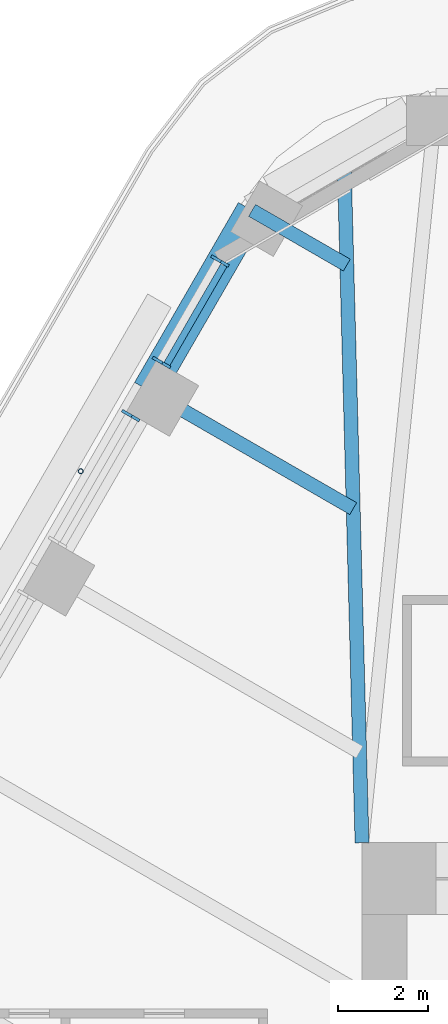
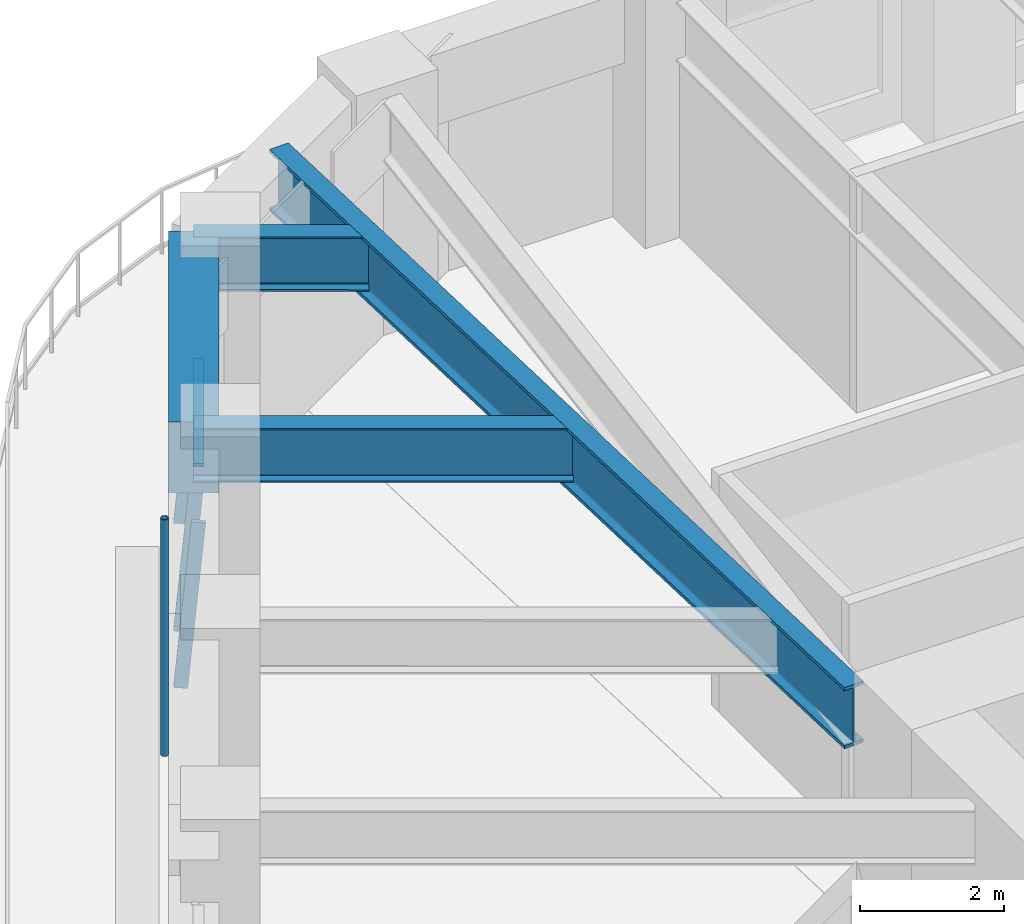
# One storey, part 8 of 20: 5 members, 4 beams, 2 elements without a shape of their own.
"""IFC4 building model written with IfcOpenShell, lengths in metres."""

from ifc_helpers import new_model, si_unit, direction, frame, origin, origin_2d, place, context, subcontext, project, spatial, rectangle, hollow_circle, i_section, extrude, material, material_profile, profile_set, type_object, element, aggregate, save


model = new_model("IFC4")

# Units and contexts
model_context = context("Model", 3, precision=1e-05, world=origin(), true_north=direction((0.0, 1.0)))
body_context = subcontext(model_context, "Body", "Model", "MODEL_VIEW")
ifc_project = project(units=[si_unit("LENGTHUNIT", "METRE"), si_unit("AREAUNIT", "SQUARE_METRE"), si_unit("VOLUMEUNIT", "CUBIC_METRE"), si_unit("PLANEANGLEUNIT", "RADIAN"), si_unit("MASSUNIT", "GRAM", prefix="KILO")], contexts=[model_context])

# Site, building, storey
site_placement = place(None, origin())
site = spatial("IfcSite", under=ifc_project, at=site_placement, CompositionType="ELEMENT")
building_placement = place(site_placement, origin())
building = spatial("IfcBuilding", under=site, at=building_placement, Name="Tarfa Lantern Tower", CompositionType="ELEMENT")
storey_placement = place(building_placement, frame((0.0, 0.0, 236.5)))
storey = spatial("IfcBuildingStorey", under=building, at=storey_placement, Name="L53", CompositionType="ELEMENT", Elevation=236.5)

# Curtain wall, members
ifc_material_1 = material(Name="Aluminium framed curtain wall", Category="aluminium")
curtain_wall_type = type_object("IfcCurtainWallType", Name="CW3 CANTED GLAZING HIGH ZONE 2800", PredefinedType="USERDEFINED", material=ifc_material_1)
curtain_wall_1_placement = place(storey_placement, origin())
curtain_wall_1 = element("IfcCurtainWall", 1, at=curtain_wall_1_placement, inside=storey, type_object=curtain_wall_type, Name="CW3 NW L53", ObjectType="CURTAIN WALL", PredefinedType="USERDEFINED")
ifc_material_2 = material(Name="Aluminium mullion", Category="aluminium")
ifc_material_profile_1 = material_profile(ifc_material_2, rectangle(XDim=0.06494140625, YDim=0.199951171875, at=origin_2d()), Name="AL MULLION 65x200")
ifc_profile_set_1 = profile_set([ifc_material_profile_1], Name="Aluminium mullion")
member_type_1 = type_object("IfcMemberType", Name="CWM1 MULLION 65x200", PredefinedType="MULLION", material=ifc_profile_set_1)
member_1_placement = place(storey_placement, frame((-18.76611328125, 25.296142578125, 0.0), z_axis=(0.077032386753, -0.044465143199, 0.996036576854), x_axis=(0.499919672301, 0.866071776036, 0.0)))
member_1 = element("IfcMember", 2, at=member_1_placement, type_object=member_type_1, Name="CW3 mullion 1", PredefinedType="MULLION", context=body_context, shape_type="SweptSolid", body=[
    extrude(rectangle(XDim=0.06494140625, YDim=0.199951171875, at=origin_2d()), origin(), (0.0, 0.0, 1.0), 2.811279296875),
])
member_2_placement = place(storey_placement, frame((-20.068115234375, 23.041015625, 0.0), z_axis=(0.077032386753, -0.044465143199, 0.996036576854), x_axis=(0.499919672301, 0.866071776036, 0.0)))
member_2 = element("IfcMember", 3, at=member_2_placement, type_object=member_type_1, Name="CW3 mullion 2", PredefinedType="MULLION", context=body_context, shape_type="SweptSolid", body=[
    extrude(rectangle(XDim=0.06494140625, YDim=0.199951171875, at=origin_2d()), origin(), (0.0, 0.0, 1.0), 2.811279296875),
])

# Curtain wall, member
curtain_wall_2_placement = place(storey_placement, origin())
curtain_wall_2 = element("IfcCurtainWall", 4, at=curtain_wall_2_placement, inside=storey, type_object=curtain_wall_type, Name="CW3 NW L53", ObjectType="CURTAIN WALL", PredefinedType="USERDEFINED")
member_3_placement = place(storey_placement, frame((-20.75048828125, 21.85888671875, 0.0), z_axis=(0.076946055247, -0.044465440504, 0.996043236603), x_axis=(0.500342721131, 0.865827443207, 0.0)))
member_3 = element("IfcMember", 5, at=member_3_placement, type_object=member_type_1, Name="CW3 mullion 1", PredefinedType="MULLION", context=body_context, shape_type="SweptSolid", body=[
    extrude(rectangle(XDim=0.06494140625, YDim=0.199951171875, at=origin_2d()), origin(), (0.0, 0.0, 1.0), 2.811279296875),
])
aggregate(curtain_wall_2, [member_3])

# Member
ifc_material_3 = material(Name="Aluminium transom", Category="aluminium")
ifc_material_profile_2 = material_profile(ifc_material_3, rectangle(XDim=0.14990234375, YDim=0.06494140625, at=origin_2d()), Name="AL TRANSOM 150x65")
ifc_profile_set_2 = profile_set([ifc_material_profile_2], Name="Aluminium transom")
member_type_2 = type_object("IfcMemberType", Name="CWT1 TRANSOM 150x65", PredefinedType="USERDEFINED", material=ifc_profile_set_2)
member_4_placement = place(storey_placement, frame((-18.568359375, 25.144287109375, 2.767578125), z_axis=(-0.500027655771, -0.866009436129, 0.0), x_axis=(0.866009436129, -0.500027655771, 0.0)))
member_4 = element("IfcMember", 6, at=member_4_placement, type_object=member_type_2, Name="CW3 transom 1.2", ObjectType="TRANSOM", PredefinedType="USERDEFINED", context=body_context, shape_type="SweptSolid", body=[
    extrude(rectangle(XDim=0.14990234375, YDim=0.06494140625, at=origin_2d()), origin(), (0.0, 0.0, 1.0), 2.538818359375),
])

aggregate(curtain_wall_1, [member_1, member_2, member_4])

# Beam
ifc_material_4 = material(Name="Concrete C80/95", Category="concrete")
ifc_material_profile_3 = material_profile(ifc_material_4, rectangle(XDim=0.699951171875, YDim=1.199951171875, at=origin_2d()), Name="RC 700x1200")
ifc_profile_set_3 = profile_set([ifc_material_profile_3], Name="Concrete C80/95")
beam_type_1 = type_object("IfcBeamType", Name="EB3 RC 700x1200", PredefinedType="SPANDREL", material=ifc_profile_set_3)
beam_1_placement = place(storey_placement, frame((-17.944091796875, 26.360107421875, 3.39990234375), z_axis=(-0.499987836815, -0.866032426089, 0.0), x_axis=(0.866032426089, -0.499987836815, 0.0)))
element("IfcBeam", 7, at=beam_1_placement, inside=storey, type_object=beam_type_1, Name="Edge beam NW0", PredefinedType="SPANDREL", context=body_context, shape_type="SweptSolid", body=[
    extrude(rectangle(XDim=0.699951171875, YDim=1.199951171875, at=origin_2d()), origin(), (0.0, 0.0, 1.0), 4.61865234375),
])

# Member
ifc_material_5 = material(Name="Steel S355", Category="steel")
ifc_material_profile_4 = material_profile(ifc_material_5, hollow_circle(Radius=0.05712890625, WallThickness=0.00634765625, at=origin_2d()), Name="CHS114.3x6.3")
ifc_profile_set_4 = profile_set([ifc_material_profile_4], Name="Steel S355")
member_type_3 = type_object("IfcMemberType", Name="TR1 GREEN WALL TRELLIS CHS114.3x6.3", PredefinedType="USERDEFINED", material=ifc_profile_set_4)
member_5_placement = place(storey_placement, frame((-21.754638671875, 20.56005859375, 0.0), z_axis=(0.0, 0.0, 1.0), x_axis=(1.0, 0.0, 0.0)))
element("IfcMember", 8, at=member_5_placement, inside=storey, type_object=member_type_3, Name="Trellis post NW 1", ObjectType="TRELLIS", PredefinedType="USERDEFINED", context=body_context, shape_type="SweptSolid", body=[
    extrude(hollow_circle(Radius=0.05712890625, WallThickness=0.00634765625, at=origin_2d()), origin(), (0.0, 0.0, 1.0), 4.0),
])

# Beams
ifc_material_6 = material(Name="Steel S460M", Category="steel")
ifc_material_profile_5 = material_profile(ifc_material_6, i_section(OverallWidth=0.30859375, OverallDepth=1.036376953125, WebThickness=0.030029296875, FlangeThickness=0.05419921875, FilletRadius=0.030029296875, at=origin_2d()), Name="UB1016x305x487")
ifc_profile_set_5 = profile_set([ifc_material_profile_5], Name="Steel S460M")
beam_type_2 = type_object("IfcBeamType", Name="UB1016x305x487", PredefinedType="BEAM", material=ifc_profile_set_5)
beam_2_placement = place(storey_placement, frame((-15.5, 12.300048828125, 3.48193359375), z_axis=(-0.026247301989, 0.999655480222, 0.0), x_axis=(-0.999655480222, -0.026247301989, 0.0)))
element("IfcBeam", 9, at=beam_2_placement, inside=storey, type_object=beam_type_2, Name="Hip girder NW", PredefinedType="BEAM", context=body_context, shape_type="SweptSolid", body=[
    extrude(i_section(OverallWidth=0.30859375, OverallDepth=1.036376953125, WebThickness=0.030029296875, FlangeThickness=0.05419921875, FilletRadius=0.030029296875, at=origin_2d()), origin(), (0.0, 0.0, 1.0), 15.245361328125),
])
ifc_material_profile_6 = material_profile(ifc_material_6, i_section(OverallWidth=0.305419921875, OverallDepth=0.91845703125, WebThickness=0.017333984375, FlangeThickness=0.02783203125, FilletRadius=0.01904296875, at=origin_2d()), Name="UB914x305x253")
ifc_profile_set_6 = profile_set([ifc_material_profile_6], Name="Steel S460M")
beam_type_3 = type_object("IfcBeamType", Name="UB914x305x253", PredefinedType="BEAM", material=ifc_profile_set_6)
beam_3_placement = place(storey_placement, frame((-17.944091796875, 26.360107421875, 3.540771484375), z_axis=(0.865980009423, -0.5000786171, 0.0), x_axis=(0.5000786171, 0.865980009423, 0.0)))
element("IfcBeam", 10, at=beam_3_placement, inside=storey, type_object=beam_type_3, Name="Floor beam NW0", PredefinedType="BEAM", context=body_context, shape_type="SweptSolid", body=[
    extrude(i_section(OverallWidth=0.305419921875, OverallDepth=0.91845703125, WebThickness=0.017333984375, FlangeThickness=0.02783203125, FilletRadius=0.01904296875, at=origin_2d()), origin(), (0.0, 0.0, 1.0), 2.4326171875),
])
beam_4_placement = place(storey_placement, frame((-20.25341796875, 22.360107421875, 3.540771484375), z_axis=(0.86601951648, -0.500010196972, 0.0), x_axis=(0.500010196972, 0.86601951648, 0.0)))
element("IfcBeam", 11, at=beam_4_placement, inside=storey, type_object=beam_type_3, Name="Floor beam NW1", PredefinedType="BEAM", context=body_context, shape_type="SweptSolid", body=[
    extrude(i_section(OverallWidth=0.305419921875, OverallDepth=0.91845703125, WebThickness=0.017333984375, FlangeThickness=0.02783203125, FilletRadius=0.01904296875, at=origin_2d()), origin(), (0.0, 0.0, 1.0), 5.263671875),
])

save(model, "model.ifc")
